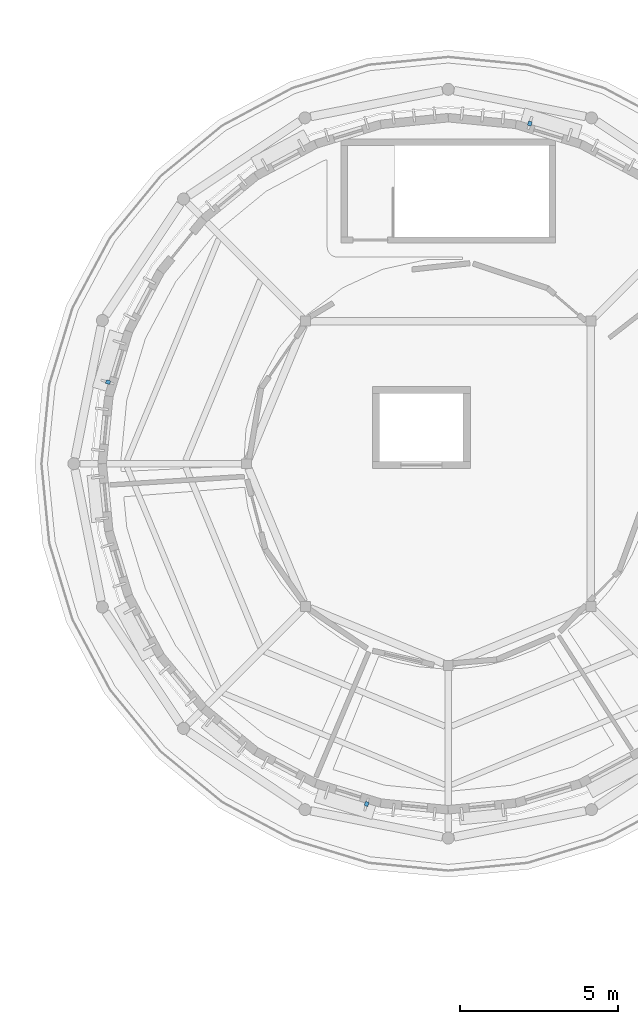
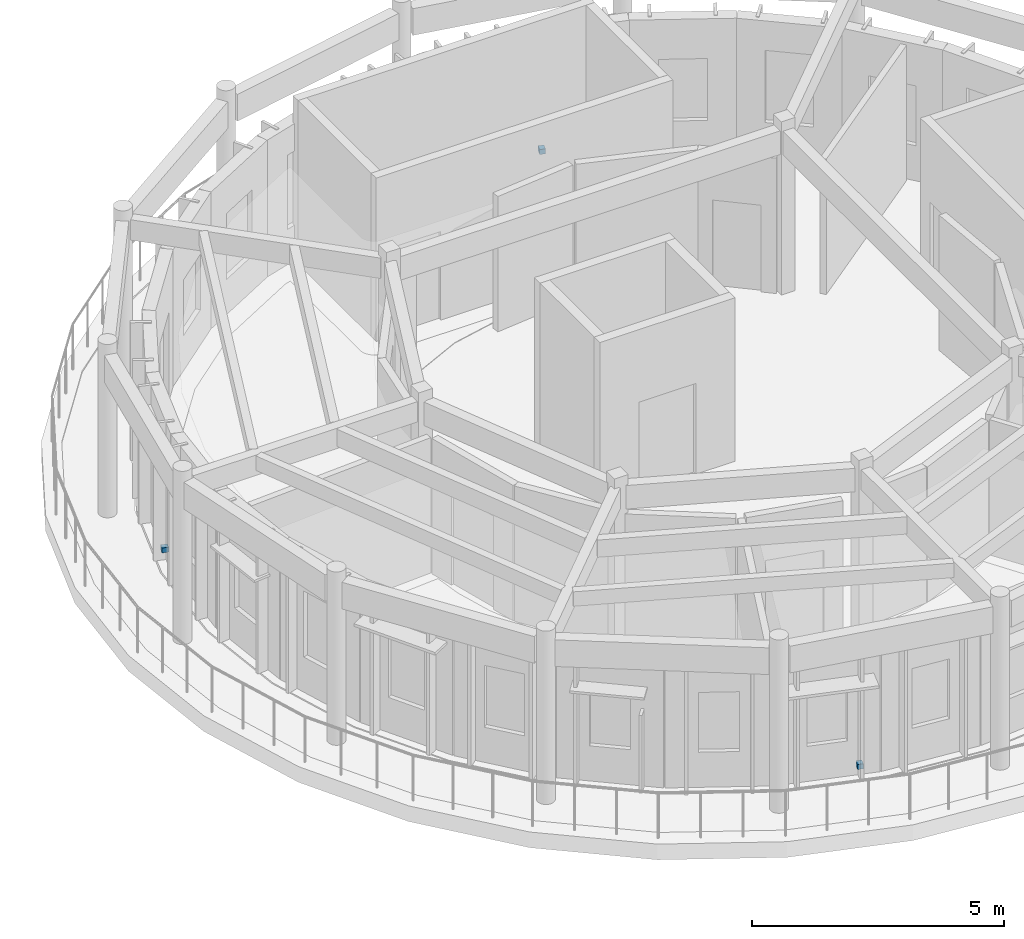
# One storey, part 29 of 37: 3 discrete accessories.
"""IFC4 building model written with IfcOpenShell, lengths in metres."""

from ifc_helpers import new_model, si_unit, direction, frame, origin, origin_2d, place, context, subcontext, project, spatial, rectangle, extrude, material, type_object, element, save


model = new_model("IFC4")

# Units and contexts
model_context = context("Model", 3, precision=1e-05, world=origin(), true_north=direction((0.0, 1.0)))
body_context = subcontext(model_context, "Body", "Model", "MODEL_VIEW")
ifc_project = project(units=[si_unit("LENGTHUNIT", "METRE"), si_unit("AREAUNIT", "SQUARE_METRE"), si_unit("VOLUMEUNIT", "CUBIC_METRE"), si_unit("PLANEANGLEUNIT", "RADIAN"), si_unit("MASSUNIT", "GRAM", prefix="KILO")], contexts=[model_context])

# Site, building, storey
site_placement = place(None, origin())
site = spatial("IfcSite", under=ifc_project, at=site_placement, CompositionType="ELEMENT")
building_placement = place(site_placement, origin())
building = spatial("IfcBuilding", under=site, at=building_placement, Name="Aldenvaro Health Centre", CompositionType="ELEMENT")
storey_placement = place(building_placement, frame((0.0, 0.0, 12.949951171875)))
storey = spatial("IfcBuildingStorey", under=building, at=storey_placement, Name="L03", CompositionType="ELEMENT", Elevation=12.949951171875)

# Discrete accessories
ifc_material = material(Name="Stainless Steel AISI 316", Category="steel")
discrete_accessory_type = type_object("IfcDiscreteAccessoryType", Name="ACC-BRK-01", PredefinedType="BRACKET", material=ifc_material)
for number, where, z_axis, x_axis, name in (
    (1, (151.910888671875, 88.705078125, 0.18994140625), (0.0, 0.0, 1.0), (-0.956926678266, 0.290329696075, 0.0), "D2 L03 stainless fin bracket 9"),
    (2, (143.705078125, 102.089111328125, 0.18994140625), (0.0, 0.0, 1.0), (0.290329696075, 0.956926678266, 0.0), "D2 L03 stainless fin bracket 17"),
    (3, (157.089111328125, 110.294921875, 0.18994140625), (0.0, 0.0, 1.0), (0.956926678266, -0.290329696075, 0.0), "D2 L03 stainless fin bracket 25"),
):
    element("IfcDiscreteAccessory", number, at=place(storey_placement, frame(where, z_axis=z_axis, x_axis=x_axis)), inside=storey, type_object=discrete_accessory_type, Name=name, PredefinedType="BRACKET", context=body_context, shape_type="SweptSolid", body=[
        extrude(rectangle(XDim=0.1201171875, YDim=0.139892578125, at=origin_2d()), origin(), (0.0, 0.0, 1.0), 0.1201171875),
    ])

save(model, "model.ifc")
